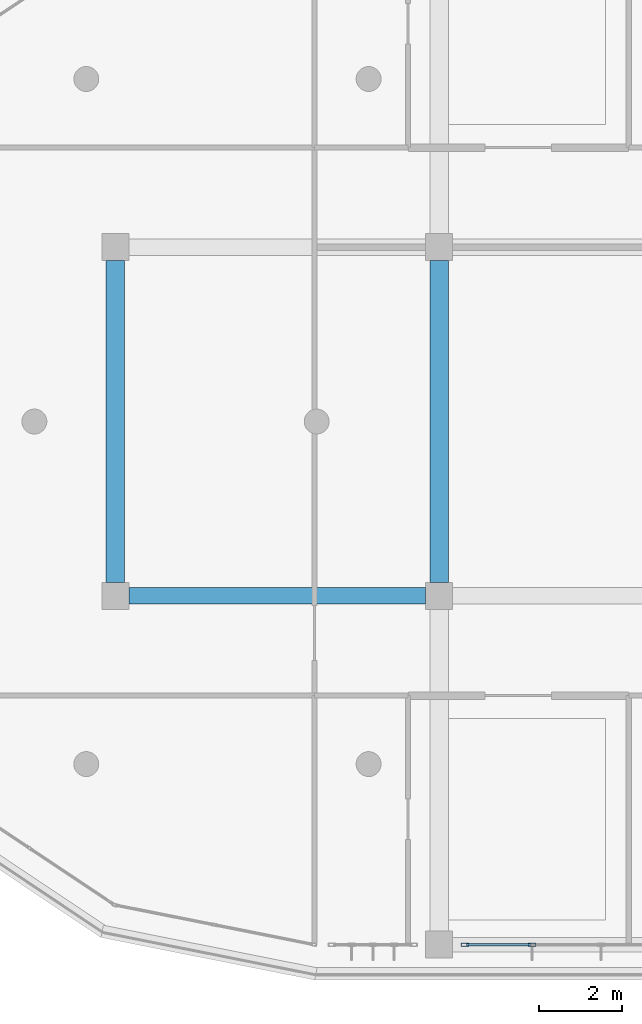
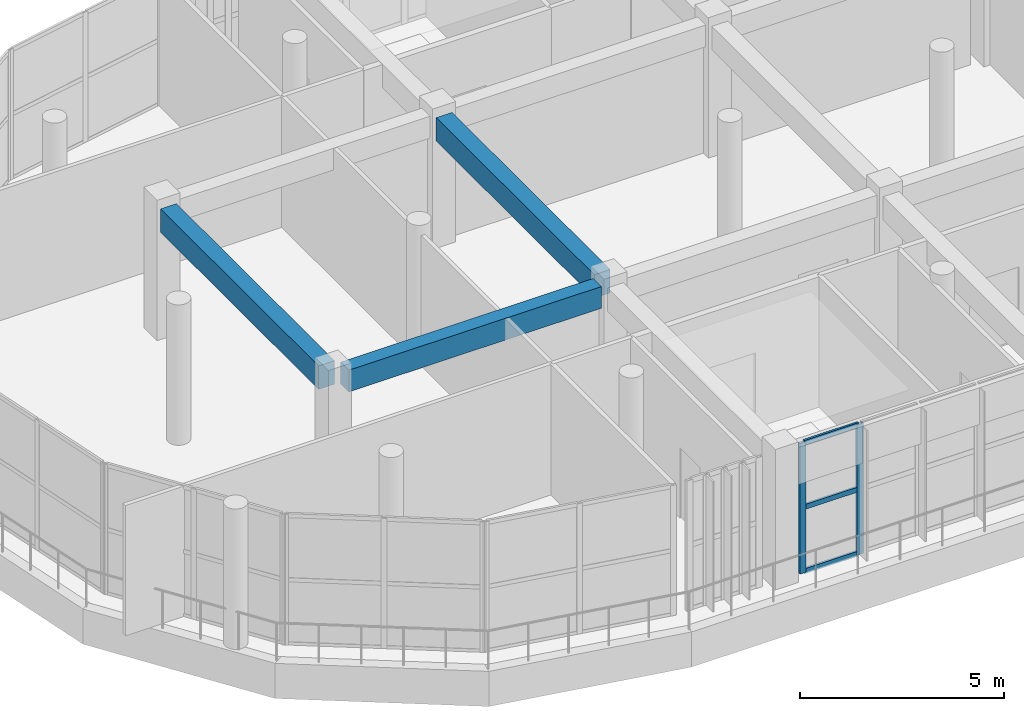
# One storey, part 5 of 63: 5 members, 3 beams, 1 element without a shape of its own.
"""IFC4 building model written with IfcOpenShell, lengths in metres."""

from ifc_helpers import new_model, si_unit, direction, frame, origin, origin_2d, place, context, subcontext, project, spatial, rectangle, hollow_rectangle, extrude, material, layer, layer_set, material_profile, profile_set, type_object, element, aggregate, save


model = new_model("IFC4")

# Units and contexts
model_context = context("Model", 3, precision=1e-05, world=origin(), true_north=direction((0.0, 1.0)))
body_context = subcontext(model_context, "Body", "Model", "MODEL_VIEW")
ifc_project = project(units=[si_unit("LENGTHUNIT", "METRE"), si_unit("AREAUNIT", "SQUARE_METRE"), si_unit("VOLUMEUNIT", "CUBIC_METRE"), si_unit("PLANEANGLEUNIT", "RADIAN"), si_unit("MASSUNIT", "GRAM", prefix="KILO")], contexts=[model_context])

# Site, building, storey
site_placement = place(None, origin())
site = spatial("IfcSite", under=ifc_project, at=site_placement, CompositionType="ELEMENT")
building_placement = place(site_placement, origin())
building = spatial("IfcBuilding", under=site, at=building_placement, Name="Zizhar Promenade General Hospital", CompositionType="ELEMENT")
storey_placement = place(building_placement, frame((0.0, 0.0, 18.0)))
storey = spatial("IfcBuildingStorey", under=building, at=storey_placement, Name="L04", CompositionType="ELEMENT", Elevation=18.0)

# Beams
ifc_material_1 = material(Name="Concrete C35/45", Category="concrete")
ifc_material_profile_1 = material_profile(ifc_material_1, rectangle(XDim=0.39990234375, YDim=0.64990234375, at=origin_2d()))
ifc_profile_set_1 = profile_set([ifc_material_profile_1], Name="Concrete C35/45")
beam_type_1 = type_object("IfcBeamType", Name="BM-RC-400x650", PredefinedType="BEAM", material=ifc_profile_set_1)
beam_placement = place(storey_placement, frame((23.72509765625, 8.39990234375, 3.5849609375), z_axis=(1.0, 0.0, 0.0), x_axis=(0.0, 1.0, 0.0)))
element("IfcBeam", 1, at=beam_placement, inside=storey, type_object=beam_type_1, Name="Grid Beam X L04 (3-1)", PredefinedType="BEAM", context=body_context, shape_type="SweptSolid", body=[
    extrude(rectangle(XDim=0.39990234375, YDim=0.64990234375, at=origin_2d()), origin(), (0.0, 0.0, 1.0), 7.14990234375),
])
ifc_material_2 = material(Name="Concrete C35/45", Category="concrete")
ifc_material_profile_2 = material_profile(ifc_material_2, rectangle(XDim=0.449951171875, YDim=0.699951171875, at=origin_2d()))
ifc_profile_set_2 = profile_set([ifc_material_profile_2], Name="Concrete C35/45")
beam_type_2 = type_object("IfcBeamType", Name="BM-RC-450x700", PredefinedType="BEAM", material=ifc_profile_set_2)
for number, where, z_axis, x_axis, name in (
    (2, (23.39990234375, 8.72509765625, 3.56005859375), (0.0, 1.0, 0.0), (-1.0, 0.0, 0.0), "Grid Beam Y L04 (3-1)"),
    (3, (31.199951171875, 8.72509765625, 3.56005859375), (0.0, 1.0, 0.0), (-1.0, 0.0, 0.0), "Grid Beam Y L04 (4-1)"),
):
    element("IfcBeam", number, at=place(storey_placement, frame(where, z_axis=z_axis, x_axis=x_axis)), inside=storey, type_object=beam_type_2, Name=name, PredefinedType="BEAM", context=body_context, shape_type="SweptSolid", body=[
        extrude(rectangle(XDim=0.449951171875, YDim=0.699951171875, at=origin_2d()), origin(), (0.0, 0.0, 1.0), 7.75),
    ])

# Curtain wall, members
ifc_material_3 = material(Name="Anodised aluminium 6063-T6 and low-E glass", Category="aluminium")
ifc_layer = layer(ifc_material_3, 0.159912109375)
ifc_layer_set = layer_set([ifc_layer], Name="Anodised aluminium 6063-T6 and low-E glass")
curtain_wall_type = type_object("IfcCurtainWallType", Name="CW-WARD-RIB", PredefinedType="NOTDEFINED", material=ifc_layer_set)
curtain_wall_placement = place(storey_placement, origin())
curtain_wall = element("IfcCurtainWall", 4, at=curtain_wall_placement, inside=storey, type_object=curtain_wall_type, Name="Ward Ribbon Curtain Wall L04-17-10", PredefinedType="NOTDEFINED")
ifc_material_4 = material(Name="Anodised aluminium 6063-T6", Category="aluminium")
ifc_material_profile_3 = material_profile(ifc_material_4, hollow_rectangle(XDim=0.080078125, YDim=0.179931640625, WallThickness=0.0048828125, at=origin_2d()))
ifc_profile_set_3 = profile_set([ifc_material_profile_3], Name="Anodised aluminium 6063-T6")
member_type_1 = type_object("IfcMemberType", Name="CWM-ALU-180x80", PredefinedType="MULLION", material=ifc_profile_set_3)
member_1_placement = place(storey_placement, frame((33.43994140625, 0.0, 0.0), z_axis=(0.0, 0.0, 1.0), x_axis=(0.0, -1.0, 0.0)))
member_1 = element("IfcMember", 5, at=member_1_placement, type_object=member_type_1, Name="CW-13 mullion 4", PredefinedType="MULLION", context=body_context, shape_type="SweptSolid", body=[
    extrude(hollow_rectangle(XDim=0.080078125, YDim=0.179931640625, WallThickness=0.0048828125, at=origin_2d()), origin(), (0.0, 0.0, 1.0), 3.89990234375),
])
member_2_placement = place(storey_placement, frame((31.820068359375, 0.0, 0.0), z_axis=(0.0, 0.0, 1.0), x_axis=(0.0, -1.0, 0.0)))
member_2 = element("IfcMember", 6, at=member_2_placement, type_object=member_type_1, Name="CW-13 mullion 5", PredefinedType="MULLION", context=body_context, shape_type="SweptSolid", body=[
    extrude(hollow_rectangle(XDim=0.080078125, YDim=0.179931640625, WallThickness=0.0048828125, at=origin_2d()), origin(), (0.0, 0.0, 1.0), 3.89990234375),
])
ifc_material_5 = material(Name="Anodised aluminium 6063-T6", Category="aluminium")
ifc_material_profile_4 = material_profile(ifc_material_5, hollow_rectangle(XDim=0.06005859375, YDim=0.14990234375, WallThickness=0.00390625, at=origin_2d()))
ifc_profile_set_4 = profile_set([ifc_material_profile_4], Name="Anodised aluminium 6063-T6")
member_type_2 = type_object("IfcMemberType", Name="CWT-ALU-150x60", PredefinedType="USERDEFINED", material=ifc_profile_set_4)
member_3_placement = place(storey_placement, frame((33.39990234375, 0.0, 0.030029296875), z_axis=(-1.0, 0.0, 0.0), x_axis=(0.0, -1.0, 0.0)))
member_3 = element("IfcMember", 7, at=member_3_placement, type_object=member_type_2, Name="CW-13 transom 4.1", ObjectType="TRANSOM", PredefinedType="USERDEFINED", context=body_context, shape_type="SweptSolid", body=[
    extrude(hollow_rectangle(XDim=0.06005859375, YDim=0.14990234375, WallThickness=0.00390625, at=origin_2d()), origin(), (0.0, 0.0, 1.0), 1.539794921875),
])
member_4_placement = place(storey_placement, frame((33.39990234375, 0.0, 1.949951171875), z_axis=(-1.0, 0.0, 0.0), x_axis=(0.0, -1.0, 0.0)))
member_4 = element("IfcMember", 8, at=member_4_placement, type_object=member_type_2, Name="CW-13 transom 4.2", ObjectType="TRANSOM", PredefinedType="USERDEFINED", context=body_context, shape_type="SweptSolid", body=[
    extrude(hollow_rectangle(XDim=0.06005859375, YDim=0.14990234375, WallThickness=0.00390625, at=origin_2d()), origin(), (0.0, 0.0, 1.0), 1.539794921875),
])
member_5_placement = place(storey_placement, frame((33.39990234375, 0.0, 3.8701171875), z_axis=(-1.0, 0.0, 0.0), x_axis=(0.0, -1.0, 0.0)))
member_5 = element("IfcMember", 9, at=member_5_placement, type_object=member_type_2, Name="CW-13 transom 4.3", ObjectType="TRANSOM", PredefinedType="USERDEFINED", context=body_context, shape_type="SweptSolid", body=[
    extrude(hollow_rectangle(XDim=0.06005859375, YDim=0.14990234375, WallThickness=0.00390625, at=origin_2d()), origin(), (0.0, 0.0, 1.0), 1.539794921875),
])
aggregate(curtain_wall, [member_1, member_2, member_3, member_4, member_5])

save(model, "model.ifc")
